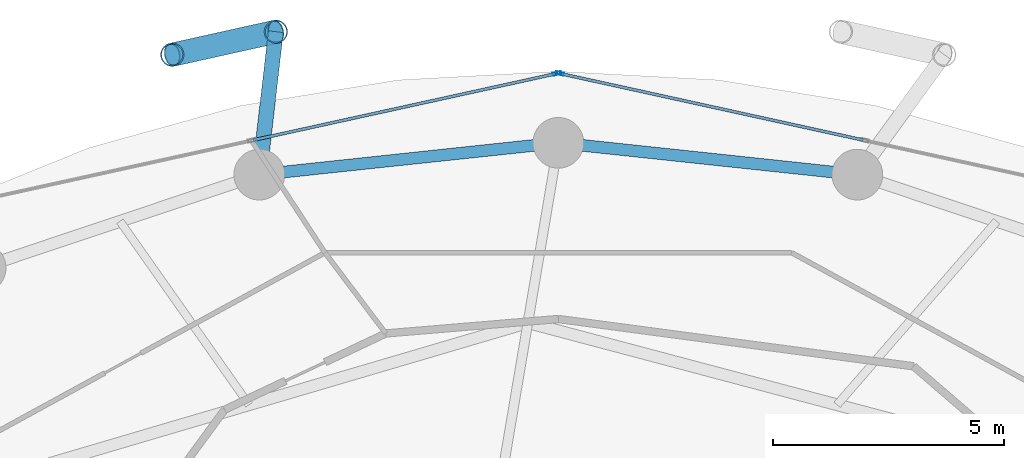
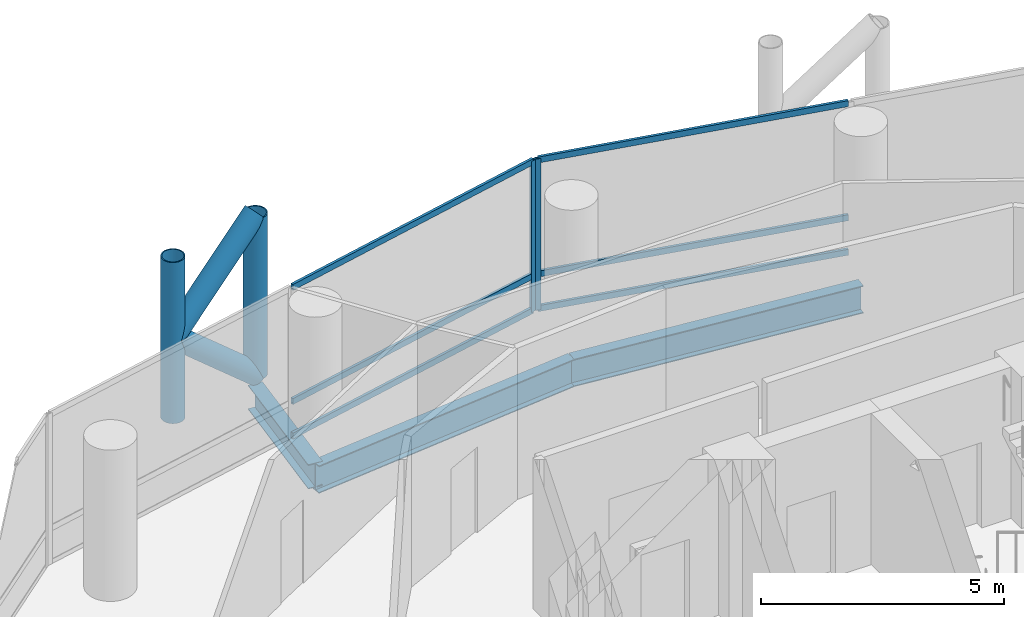
# One storey, part 16 of 25: 12 members, 3 beams, 2 elements without a shape of their own.
"""IFC4 building model written with IfcOpenShell, lengths in metres."""

from ifc_helpers import new_model, si_unit, direction, frame, origin, origin_2d, place, context, subcontext, project, spatial, hollow_rectangle, hollow_circle, i_section, extrude, material, layer, layer_set, material_profile, profile_set, type_object, element, aggregate, save


model = new_model("IFC4")

# Units and contexts
model_context = context("Model", 3, precision=1e-05, world=origin(), true_north=direction((0.0, 1.0)))
body_context = subcontext(model_context, "Body", "Model", "MODEL_VIEW")
ifc_project = project(units=[si_unit("LENGTHUNIT", "METRE"), si_unit("AREAUNIT", "SQUARE_METRE"), si_unit("VOLUMEUNIT", "CUBIC_METRE"), si_unit("PLANEANGLEUNIT", "RADIAN"), si_unit("MASSUNIT", "GRAM", prefix="KILO")], contexts=[model_context])

# Site, building, storey
site_placement = place(None, origin())
site = spatial("IfcSite", under=ifc_project, at=site_placement, CompositionType="ELEMENT")
building_placement = place(site_placement, origin())
building = spatial("IfcBuilding", under=site, at=building_placement, Name="Nuhasar Tower", CompositionType="ELEMENT")
storey_placement = place(building_placement, frame((0.0, 0.0, 57.449951171875)))
storey = spatial("IfcBuildingStorey", under=building, at=storey_placement, Name="L13", CompositionType="ELEMENT", Elevation=57.449951171875)

# Beams
ifc_material_1 = material(Name="Steel S355", Category="steel")
ifc_material_profile_1 = material_profile(ifc_material_1, i_section(OverallWidth=0.256103515625, OverallDepth=0.693115234375, WebThickness=0.014404296875, FlangeThickness=0.023681640625, at=origin_2d()), Name="W27X114")
ifc_profile_set_1 = profile_set([ifc_material_profile_1], Name="Steel S355")
beam_type_1 = type_object("IfcBeamType", Name="BM-RING-W27X114", PredefinedType="SPANDREL", material=ifc_profile_set_1)
for number, where, z_axis, x_axis, name in (
    (1, (45.48291015625, 46.360107421875, -0.595947265625), (-0.994384554061, 0.105827022286, 0.0), (-0.105827022286, -0.994384554061, 0.0), "L13 Perimeter Ring Spandrel 06"),
    (2, (39.0, 47.050048828125, -0.595947265625), (-0.994384554061, -0.105827022286, 0.0), (0.105827022286, -0.994384554061, 0.0), "L13 Perimeter Ring Spandrel 07"),
):
    element("IfcBeam", number, at=place(storey_placement, frame(where, z_axis=z_axis, x_axis=x_axis)), inside=storey, type_object=beam_type_1, Name=name, PredefinedType="SPANDREL", context=body_context, shape_type="SweptSolid", body=[
        extrude(i_section(OverallWidth=0.256103515625, OverallDepth=0.693115234375, WebThickness=0.014404296875, FlangeThickness=0.023681640625, at=origin_2d()), origin(), (0.0, 0.0, 1.0), 6.51953125),
    ])
ifc_material_profile_2 = material_profile(ifc_material_1, i_section(OverallWidth=0.323974609375, OverallDepth=0.611083984375, WebThickness=0.0126953125, FlangeThickness=0.01904296875, at=origin_2d()), Name="W24X104")
ifc_profile_set_2 = profile_set([ifc_material_profile_2], Name="Steel S355")
beam_type_2 = type_object("IfcBeamType", Name="BM-TIE-W24X104", PredefinedType="BEAM", material=ifc_profile_set_2)
beam_placement = place(storey_placement, frame((32.51708984375, 46.360107421875, -0.554931640625), z_axis=(0.115042934281, 0.993360520291, 0.0), x_axis=(-0.993360520291, 0.115042934281, 0.0)))
element("IfcBeam", 3, at=beam_placement, inside=storey, type_object=beam_type_2, Name="L13 Exoskeleton Node Tie Beam 04", PredefinedType="BEAM", context=body_context, shape_type="SweptSolid", body=[
    extrude(i_section(OverallWidth=0.323974609375, OverallDepth=0.611083984375, WebThickness=0.0126953125, FlangeThickness=0.01904296875, at=origin_2d()), origin(), (0.0, 0.0, 1.0), 3.11962890625),
])

# Curtain wall, member
ifc_material_2 = material(Name="Aluminium 6063-T6", Category="aluminium")
ifc_layer = layer(ifc_material_2, 0.199951171875)
ifc_layer_set = layer_set([ifc_layer], Name="Aluminium 6063-T6")
curtain_wall_type = type_object("IfcCurtainWallType", Name="CW-Z1-OFF", PredefinedType="NOTDEFINED", material=ifc_layer_set)
curtain_wall_1_placement = place(storey_placement, origin())
curtain_wall_1 = element("IfcCurtainWall", 4, at=curtain_wall_1_placement, inside=storey, type_object=curtain_wall_type, Name="L13 Unitised Curtain Wall 03", PredefinedType="NOTDEFINED")
ifc_material_profile_3 = material_profile(ifc_material_2, hollow_rectangle(XDim=0.06494140625, YDim=0.179931640625, WallThickness=0.0048828125, at=origin_2d()), Name="CWM-2")
ifc_profile_set_3 = profile_set([ifc_material_profile_3], Name="Aluminium 6063-T6")
member_type_1 = type_object("IfcMemberType", Name="CW-MUL-S2", PredefinedType="MULLION", material=ifc_profile_set_3)
member_1_placement = place(storey_placement, frame((39.03173828125, 48.552978515625, 0.0), z_axis=(0.0, 0.0, 1.0), x_axis=(-0.214398737637, -0.976746221544, 0.0)))
member_1 = element("IfcMember", 5, at=member_1_placement, type_object=member_type_1, Name="CW-Z1 mullion 3", PredefinedType="MULLION", context=body_context, shape_type="SweptSolid", body=[
    extrude(hollow_rectangle(XDim=0.06494140625, YDim=0.179931640625, WallThickness=0.0048828125, at=origin_2d()), origin(), (0.0, 0.0, 1.0), 3.800048828125),
])

curtain_wall_2_placement = place(storey_placement, origin())
curtain_wall_2 = element("IfcCurtainWall", 6, at=curtain_wall_2_placement, inside=storey, type_object=curtain_wall_type, Name="L13 Unitised Curtain Wall 04", PredefinedType="NOTDEFINED")
member_2_placement = place(storey_placement, frame((38.96826171875, 48.552978515625, 0.0), z_axis=(0.0, 0.0, 1.0), x_axis=(0.214398737637, -0.976746221544, 0.0)))
member_2 = element("IfcMember", 7, at=member_2_placement, type_object=member_type_1, Name="CW-Z1 mullion 1", PredefinedType="MULLION", context=body_context, shape_type="SweptSolid", body=[
    extrude(hollow_rectangle(XDim=0.06494140625, YDim=0.179931640625, WallThickness=0.0048828125, at=origin_2d()), origin(), (0.0, 0.0, 1.0), 3.800048828125),
])

# Member
ifc_material_profile_4 = material_profile(ifc_material_2, hollow_rectangle(XDim=0.06494140625, YDim=0.14990234375, WallThickness=0.00439453125, at=origin_2d()), Name="CWT-2")
ifc_profile_set_4 = profile_set([ifc_material_profile_4], Name="Aluminium 6063-T6")
member_type_2 = type_object("IfcMemberType", Name="CW-TRN-S2", PredefinedType="USERDEFINED", material=ifc_profile_set_4)
member_3_placement = place(storey_placement, frame((45.608154296875, 47.109375, 0.032470703125), z_axis=(-0.976740248595, 0.214425947065, 0.0), x_axis=(-0.214425947065, -0.976740248595, 0.0)))
member_3 = element("IfcMember", 8, at=member_3_placement, type_object=member_type_2, Name="CW-Z1 transom 2.1", ObjectType="TRANSOM", PredefinedType="USERDEFINED", context=body_context, shape_type="SweptSolid", body=[
    extrude(hollow_rectangle(XDim=0.06494140625, YDim=0.14990234375, WallThickness=0.00439453125, at=origin_2d()), origin(), (0.0, 0.0, 1.0), 6.700439453125),
])

member_4_placement = place(storey_placement, frame((45.608154296875, 47.109375, 0.900146484375), z_axis=(-0.976740248595, 0.214425947065, 0.0), x_axis=(-0.214425947065, -0.976740248595, 0.0)))
member_4 = element("IfcMember", 9, at=member_4_placement, type_object=member_type_2, Name="CW-Z1 transom 2.2", ObjectType="TRANSOM", PredefinedType="USERDEFINED", context=body_context, shape_type="SweptSolid", body=[
    extrude(hollow_rectangle(XDim=0.06494140625, YDim=0.14990234375, WallThickness=0.00439453125, at=origin_2d()), origin(), (0.0, 0.0, 1.0), 6.700439453125),
])

member_5_placement = place(storey_placement, frame((45.608154296875, 47.109375, 3.767578125), z_axis=(-0.976740248595, 0.214425947065, 0.0), x_axis=(-0.214425947065, -0.976740248595, 0.0)))
member_5 = element("IfcMember", 10, at=member_5_placement, type_object=member_type_2, Name="CW-Z1 transom 2.3", ObjectType="TRANSOM", PredefinedType="USERDEFINED", context=body_context, shape_type="SweptSolid", body=[
    extrude(hollow_rectangle(XDim=0.06494140625, YDim=0.14990234375, WallThickness=0.00439453125, at=origin_2d()), origin(), (0.0, 0.0, 1.0), 6.700439453125),
])

aggregate(curtain_wall_1, [member_1, member_3, member_4, member_5])

member_6_placement = place(storey_placement, frame((38.9365234375, 48.546142578125, 0.032470703125), z_axis=(-0.976740248595, -0.214425947065, 0.0), x_axis=(0.214425947065, -0.976740248595, 0.0)))
member_6 = element("IfcMember", 11, at=member_6_placement, type_object=member_type_2, Name="CW-Z1 transom 1.1", ObjectType="TRANSOM", PredefinedType="USERDEFINED", context=body_context, shape_type="SweptSolid", body=[
    extrude(hollow_rectangle(XDim=0.06494140625, YDim=0.14990234375, WallThickness=0.00439453125, at=origin_2d()), origin(), (0.0, 0.0, 1.0), 6.700439453125),
])

member_7_placement = place(storey_placement, frame((38.9365234375, 48.546142578125, 0.900146484375), z_axis=(-0.976740248595, -0.214425947065, 0.0), x_axis=(0.214425947065, -0.976740248595, 0.0)))
member_7 = element("IfcMember", 12, at=member_7_placement, type_object=member_type_2, Name="CW-Z1 transom 1.2", ObjectType="TRANSOM", PredefinedType="USERDEFINED", context=body_context, shape_type="SweptSolid", body=[
    extrude(hollow_rectangle(XDim=0.06494140625, YDim=0.14990234375, WallThickness=0.00439453125, at=origin_2d()), origin(), (0.0, 0.0, 1.0), 6.700439453125),
])

member_8_placement = place(storey_placement, frame((38.9365234375, 48.546142578125, 3.767578125), z_axis=(-0.976740248595, -0.214425947065, 0.0), x_axis=(0.214425947065, -0.976740248595, 0.0)))
member_8 = element("IfcMember", 13, at=member_8_placement, type_object=member_type_2, Name="CW-Z1 transom 1.3", ObjectType="TRANSOM", PredefinedType="USERDEFINED", context=body_context, shape_type="SweptSolid", body=[
    extrude(hollow_rectangle(XDim=0.06494140625, YDim=0.14990234375, WallThickness=0.00439453125, at=origin_2d()), origin(), (0.0, 0.0, 1.0), 6.700439453125),
])

aggregate(curtain_wall_2, [member_2, member_6, member_7, member_8])

# Members
ifc_material_3 = material(Name="Steel S460", Category="steel")
ifc_material_profile_5 = material_profile(ifc_material_3, hollow_circle(Radius=0.25390625, WallThickness=0.025390625, at=origin_2d()), Name="HSS508X25.4")
ifc_profile_set_5 = profile_set([ifc_material_profile_5], Name="Steel S460")
member_type_3 = type_object("IfcMemberType", Name="EXO-BRONZE-508", PredefinedType="BRACE", material=ifc_profile_set_5)
for number, where, z_axis, x_axis, name in (
    (14, (32.8759765625, 49.458984375, 0.0), (0.0, 0.0, 1.0), (1.0, 0.0, 0.0), "L13 Exoskeleton Chord Column EC-04A"),
    (15, (30.6298828125, 48.9599609375, 0.0), (0.0, 0.0, 1.0), (1.0, 0.0, 0.0), "L13 Exoskeleton Chord Column EC-04B"),
):
    element("IfcMember", number, at=place(storey_placement, frame(where, z_axis=z_axis, x_axis=x_axis)), inside=storey, type_object=member_type_3, Name=name, PredefinedType="BRACE", context=body_context, shape_type="SweptSolid", body=[
        extrude(hollow_circle(Radius=0.25390625, WallThickness=0.025390625, at=origin_2d()), origin(), (0.0, 0.0, 1.0), 4.050048828125),
    ])
member_9_placement = place(storey_placement, frame((32.8759765625, 49.458984375, 0.0), z_axis=(-0.732782908552, -0.162805246204, 0.660699372439), x_axis=(0.216885517571, -0.97619704582, 0.0)))
element("IfcMember", 16, at=member_9_placement, inside=storey, type_object=member_type_3, Name="L13 Bronze Diagrid Brace W1-04", PredefinedType="BRACE", context=body_context, shape_type="SweptSolid", body=[
    extrude(hollow_circle(Radius=0.25390625, WallThickness=0.025390625, at=origin_2d()), origin(), (0.0, 0.0, 1.0), 3.065185546875),
])
member_10_placement = place(storey_placement, frame((30.6298828125, 48.9599609375, 2.025146484375), z_axis=(0.732821471909, 0.162813813976, 0.660654487828), x_axis=(-0.216885517571, 0.97619704582, 0.0)))
element("IfcMember", 17, at=member_10_placement, inside=storey, type_object=member_type_3, Name="L13 Bronze Diagrid Brace W2-04", PredefinedType="BRACE", context=body_context, shape_type="SweptSolid", body=[
    extrude(hollow_circle(Radius=0.25390625, WallThickness=0.025390625, at=origin_2d()), origin(), (0.0, 0.0, 1.0), 3.06494140625),
])

save(model, "model.ifc")
